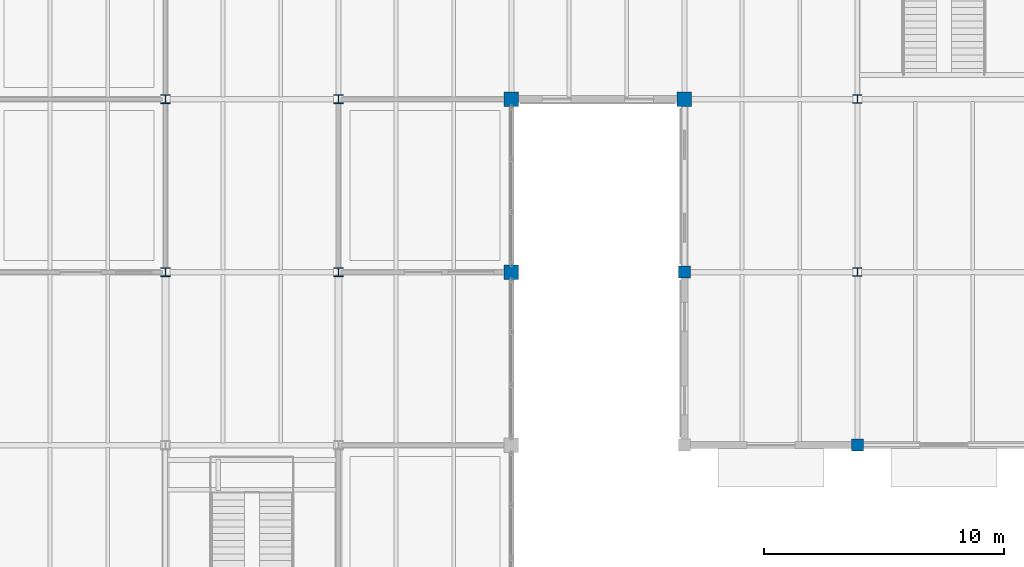
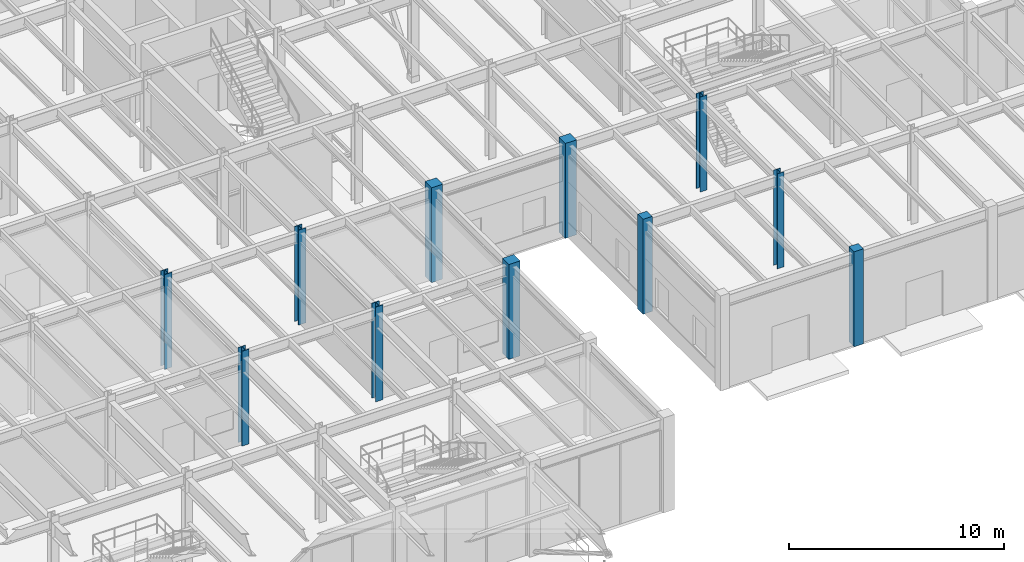
# One storey, part 6 of 97: 11 columns.
"""IFC4 building model written with IfcOpenShell, lengths in metres."""

from ifc_helpers import new_model, si_unit, direction, frame, origin, origin_2d, place, context, subcontext, project, spatial, rectangle, i_section, extrude, material, material_profile, profile_set, type_object, element, save


model = new_model("IFC4")

# Units and contexts
model_context = context("Model", 3, precision=1e-05, world=origin(), true_north=direction((0.0, 1.0)))
body_context = subcontext(model_context, "Body", "Model", "MODEL_VIEW")
ifc_project = project(units=[si_unit("LENGTHUNIT", "METRE"), si_unit("AREAUNIT", "SQUARE_METRE"), si_unit("VOLUMEUNIT", "CUBIC_METRE"), si_unit("PLANEANGLEUNIT", "RADIAN"), si_unit("MASSUNIT", "GRAM", prefix="KILO")], contexts=[model_context])

# Site, building, storey
site_placement = place(None, origin())
site = spatial("IfcSite", under=ifc_project, at=site_placement, CompositionType="ELEMENT")
building_placement = place(site_placement, origin())
building = spatial("IfcBuilding", under=site, at=building_placement, Name="Sillqori Civic Hall", CompositionType="ELEMENT")
storey_placement = place(building_placement, origin())
storey = spatial("IfcBuildingStorey", under=building, at=storey_placement, Name="L01", CompositionType="ELEMENT", Elevation=0.0)

# Columns
ifc_material_1 = material(Name="Concrete C35/45 (H35)", Category="concrete")
ifc_material_profile_1 = material_profile(ifc_material_1, rectangle(XDim=0.5, YDim=0.5, at=origin_2d()), Name="RC 500x500")
ifc_profile_set_1 = profile_set([ifc_material_profile_1], Name="Concrete C35/45 (H35)")
column_type_1 = type_object("IfcColumnType", Name="COL-RC500", PredefinedType="COLUMN", material=ifc_profile_set_1)
for number, where, z_axis, x_axis, name in (
    (1, (122.39990234375, 21.60009765625, 0.0), (0.0, 0.0, 1.0), (1.0, 0.0, 0.0), "L01 column 17-3"),
    (2, (129.60009765625, 14.39990234375, 0.0), (0.0, 0.0, 1.0), (1.0, 0.0, 0.0), "L01 column 18-2"),
):
    element("IfcColumn", number, at=place(storey_placement, frame(where, z_axis=z_axis, x_axis=x_axis)), inside=storey, type_object=column_type_1, Name=name, PredefinedType="COLUMN", context=body_context, shape_type="SweptSolid", body=[
        extrude(rectangle(XDim=0.5, YDim=0.5, at=origin_2d()), origin(), (0.0, 0.0, 1.0), 5.39990234375),
    ])
ifc_material_profile_2 = material_profile(ifc_material_1, rectangle(XDim=0.60009765625, YDim=0.60009765625, at=origin_2d()), Name="RC 600x600")
ifc_profile_set_2 = profile_set([ifc_material_profile_2], Name="Concrete C35/45 (H35)")
column_type_2 = type_object("IfcColumnType", Name="COL-RC600", PredefinedType="COLUMN", material=ifc_profile_set_2)
for number, where, z_axis, x_axis, name in (
    (3, (115.199951171875, 21.60009765625, 0.0), (0.0, 0.0, 1.0), (1.0, 0.0, 0.0), "L01 column 16-3"),
    (4, (115.199951171875, 28.800048828125, 0.0), (0.0, 0.0, 1.0), (1.0, 0.0, 0.0), "L01 column 16-4"),
    (5, (122.39990234375, 28.800048828125, 0.0), (0.0, 0.0, 1.0), (1.0, 0.0, 0.0), "L01 column 17-4"),
):
    element("IfcColumn", number, at=place(storey_placement, frame(where, z_axis=z_axis, x_axis=x_axis)), inside=storey, type_object=column_type_2, Name=name, PredefinedType="COLUMN", context=body_context, shape_type="SweptSolid", body=[
        extrude(rectangle(XDim=0.60009765625, YDim=0.60009765625, at=origin_2d()), origin(), (0.0, 0.0, 1.0), 5.39990234375),
    ])
ifc_material_2 = material(Name="Steel ASTM A992", Category="steel")
ifc_material_profile_3 = material_profile(ifc_material_2, i_section(OverallWidth=0.373046875, OverallDepth=0.367919921875, WebThickness=0.014892578125, FlangeThickness=0.02392578125, FilletRadius=0.014892578125, at=origin_2d()), Name="W14X120")
ifc_profile_set_3 = profile_set([ifc_material_profile_3], Name="Steel ASTM A992")
column_type_3 = type_object("IfcColumnType", Name="COL-W14X120", PredefinedType="COLUMN", material=ifc_profile_set_3)
column_1_placement = place(storey_placement, frame((129.60009765625, 28.800048828125, 0.0), z_axis=(0.0, 0.0, 1.0), x_axis=(1.0, 0.0, 0.0)))
element("IfcColumn", 6, at=column_1_placement, inside=storey, type_object=column_type_3, Name="L01 column 18-4", PredefinedType="COLUMN", context=body_context, shape_type="SweptSolid", body=[
    extrude(i_section(OverallWidth=0.373046875, OverallDepth=0.367919921875, WebThickness=0.014892578125, FlangeThickness=0.02392578125, FilletRadius=0.014892578125, at=origin_2d()), origin(), (0.0, 0.0, 1.0), 5.39990234375),
])
ifc_material_profile_4 = material_profile(ifc_material_2, i_section(OverallWidth=0.39404296875, OverallDepth=0.3759765625, WebThickness=0.017333984375, FlangeThickness=0.027587890625, FilletRadius=0.014892578125, at=origin_2d()), Name="W14X145")
ifc_profile_set_4 = profile_set([ifc_material_profile_4], Name="Steel ASTM A992")
column_type_4 = type_object("IfcColumnType", Name="COL-W14X145", PredefinedType="COLUMN", material=ifc_profile_set_4)
for number, where, z_axis, x_axis, name in (
    (7, (100.800048828125, 21.60009765625, 0.0), (0.0, 0.0, 1.0), (1.0, 0.0, 0.0), "L01 column 14-3"),
    (8, (100.800048828125, 28.800048828125, 0.0), (0.0, 0.0, 1.0), (1.0, 0.0, 0.0), "L01 column 14-4"),
    (9, (108.0, 21.60009765625, 0.0), (0.0, 0.0, 1.0), (1.0, 0.0, 0.0), "L01 column 15-3"),
    (10, (108.0, 28.800048828125, 0.0), (0.0, 0.0, 1.0), (1.0, 0.0, 0.0), "L01 column 15-4"),
):
    element("IfcColumn", number, at=place(storey_placement, frame(where, z_axis=z_axis, x_axis=x_axis)), inside=storey, type_object=column_type_4, Name=name, PredefinedType="COLUMN", context=body_context, shape_type="SweptSolid", body=[
        extrude(i_section(OverallWidth=0.39404296875, OverallDepth=0.3759765625, WebThickness=0.017333984375, FlangeThickness=0.027587890625, FilletRadius=0.014892578125, at=origin_2d()), origin(), (0.0, 0.0, 1.0), 5.39990234375),
    ])
ifc_material_profile_5 = material_profile(ifc_material_2, i_section(OverallWidth=0.37109375, OverallDepth=0.361083984375, WebThickness=0.012451171875, FlangeThickness=0.019775390625, FilletRadius=0.014892578125, at=origin_2d()), Name="W14X99")
ifc_profile_set_5 = profile_set([ifc_material_profile_5], Name="Steel ASTM A992")
column_type_5 = type_object("IfcColumnType", Name="COL-W14X99", PredefinedType="COLUMN", material=ifc_profile_set_5)
column_2_placement = place(storey_placement, frame((129.60009765625, 21.60009765625, 0.0), z_axis=(0.0, 0.0, 1.0), x_axis=(1.0, 0.0, 0.0)))
element("IfcColumn", 11, at=column_2_placement, inside=storey, type_object=column_type_5, Name="L01 column 18-3", PredefinedType="COLUMN", context=body_context, shape_type="SweptSolid", body=[
    extrude(i_section(OverallWidth=0.37109375, OverallDepth=0.361083984375, WebThickness=0.012451171875, FlangeThickness=0.019775390625, FilletRadius=0.014892578125, at=origin_2d()), origin(), (0.0, 0.0, 1.0), 5.39990234375),
])

save(model, "model.ifc")
